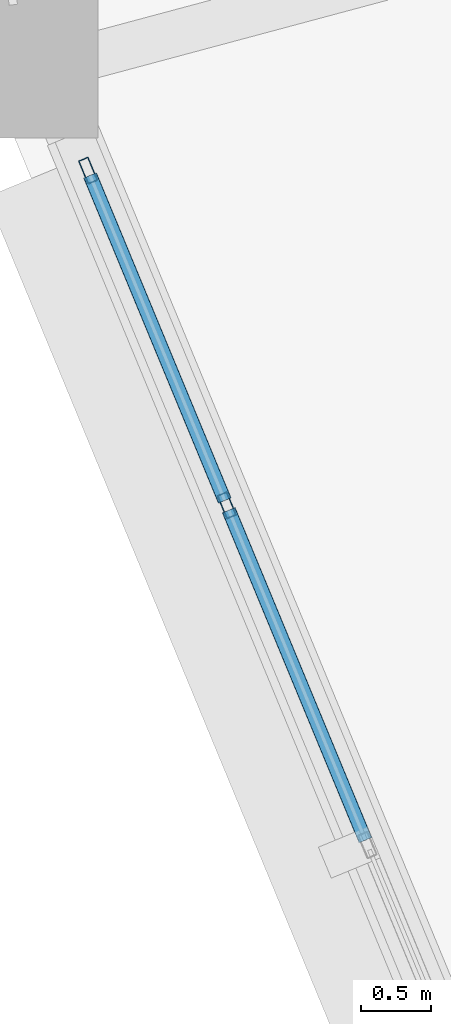
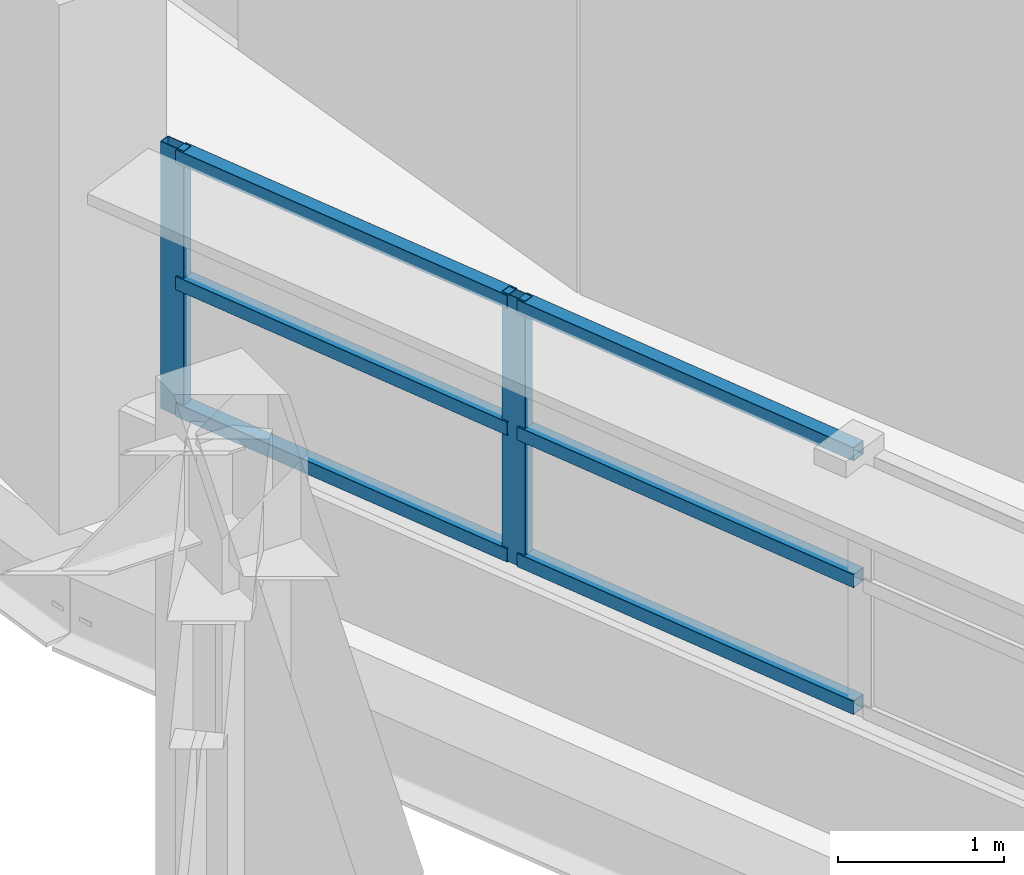
# One storey, part 27 of 108: 8 members, 1 element without a shape of its own.
"""IFC4 building model written with IfcOpenShell, lengths in metres."""

from ifc_helpers import new_model, si_unit, direction, frame, origin, origin_2d, place, context, subcontext, project, spatial, hollow_rectangle, extrude, material, layer, layer_set, material_profile, profile_set, type_object, element, aggregate, save


model = new_model("IFC4")

# Units and contexts
model_context = context("Model", 3, precision=1e-05, world=origin(), true_north=direction((0.0, 1.0)))
body_context = subcontext(model_context, "Body", "Model", "MODEL_VIEW")
ifc_project = project(units=[si_unit("LENGTHUNIT", "METRE"), si_unit("AREAUNIT", "SQUARE_METRE"), si_unit("VOLUMEUNIT", "CUBIC_METRE"), si_unit("PLANEANGLEUNIT", "RADIAN"), si_unit("MASSUNIT", "GRAM", prefix="KILO")], contexts=[model_context])

# Site, building, storey
site_placement = place(None, origin())
site = spatial("IfcSite", under=ifc_project, at=site_placement, CompositionType="ELEMENT")
building_placement = place(site_placement, origin())
building = spatial("IfcBuilding", under=site, at=building_placement, Name="Vespera Passage Community Centre", CompositionType="ELEMENT")
storey_placement = place(building_placement, frame((0.0, 0.0, 12.60009765625)))
storey = spatial("IfcBuildingStorey", under=building, at=storey_placement, Name="L03", CompositionType="ELEMENT", Elevation=12.60009765625)

# Curtain wall, members
ifc_material_1 = material(Name="Anodized aluminium 6063-T6", Category="aluminium")
ifc_layer = layer(ifc_material_1, 0.159912109375)
ifc_layer_set = layer_set([ifc_layer], Name="Anodized aluminium 6063-T6")
curtain_wall_type = type_object("IfcCurtainWallType", Name="CW-49E", PredefinedType="NOTDEFINED", material=ifc_layer_set)
curtain_wall_placement = place(storey_placement, origin())
curtain_wall = element("IfcCurtainWall", 1, at=curtain_wall_placement, inside=storey, type_object=curtain_wall_type, Name="V4 L03 Outer Ribbon Curtain Wall 13", PredefinedType="NOTDEFINED")
ifc_material_2 = material(Name="Anodized aluminium 6063-T6", Category="aluminium")
ifc_material_profile_1 = material_profile(ifc_material_2, hollow_rectangle(XDim=0.074951171875, YDim=0.179931640625, WallThickness=0.0048828125, InnerFilletRadius=0.00244140625, OuterFilletRadius=0.0048828125, at=origin_2d()), Name="ALU180X75X5")
ifc_profile_set_1 = profile_set([ifc_material_profile_1], Name="Anodized aluminium 6063-T6")
member_type_1 = type_object("IfcMemberType", Name="MB-CWM-180E", PredefinedType="MULLION", material=ifc_profile_set_1)
member_1_placement = place(storey_placement, frame((34.766845703125, 50.439453125, 0.81982421875), z_axis=(0.0, 0.0, 1.0), x_axis=(-0.923881309405, -0.382679142535, 0.0)))
member_1 = element("IfcMember", 2, at=member_1_placement, type_object=member_type_1, Name="CW-49E mullion 4", PredefinedType="MULLION", context=body_context, shape_type="SweptSolid", body=[
    extrude(hollow_rectangle(XDim=0.074951171875, YDim=0.179931640625, WallThickness=0.0048828125, InnerFilletRadius=0.00244140625, OuterFilletRadius=0.0048828125, at=origin_2d()), origin(), (0.0, 0.0, 1.0), 1.965576171875),
])
member_2_placement = place(storey_placement, frame((33.774658203125, 52.835205078125, 0.81982421875), z_axis=(0.0, 0.0, 1.0), x_axis=(-0.923881309405, -0.382679142535, 0.0)))
member_2 = element("IfcMember", 3, at=member_2_placement, type_object=member_type_1, Name="CW-49E mullion 5", PredefinedType="MULLION", context=body_context, shape_type="SweptSolid", body=[
    extrude(hollow_rectangle(XDim=0.074951171875, YDim=0.179931640625, WallThickness=0.0048828125, InnerFilletRadius=0.00244140625, OuterFilletRadius=0.0048828125, at=origin_2d()), origin(), (0.0, 0.0, 1.0), 1.965576171875),
])
ifc_material_3 = material(Name="Anodized aluminium 6063-T6", Category="aluminium")
ifc_material_profile_2 = material_profile(ifc_material_3, hollow_rectangle(XDim=0.10009765625, YDim=0.10009765625, WallThickness=0.00390625, InnerFilletRadius=0.001953125, OuterFilletRadius=0.00390625, at=origin_2d()), Name="ALU100X100X4")
ifc_profile_set_2 = profile_set([ifc_material_profile_2], Name="Anodized aluminium 6063-T6")
member_type_2 = type_object("IfcMemberType", Name="MB-CWT-100E", PredefinedType="USERDEFINED", material=ifc_profile_set_2)
member_3_placement = place(storey_placement, frame((35.759033203125, 48.0439453125, 0.869873046875), z_axis=(-0.382647130015, 0.923894568601, 0.0), x_axis=(-0.923894568601, -0.382647130015, 0.0)))
member_3 = element("IfcMember", 4, at=member_3_placement, type_object=member_type_2, Name="CW-49E transom 3.1", ObjectType="TRANSOM", PredefinedType="USERDEFINED", context=body_context, shape_type="SweptSolid", body=[
    extrude(hollow_rectangle(XDim=0.10009765625, YDim=0.10009765625, WallThickness=0.00390625, InnerFilletRadius=0.001953125, OuterFilletRadius=0.00390625, at=origin_2d()), origin(), (0.0, 0.0, 1.0), 2.555419921875),
])
member_4_placement = place(storey_placement, frame((35.759033203125, 48.0439453125, 1.802734375), z_axis=(-0.382647130015, 0.923894568601, 0.0), x_axis=(-0.923894568601, -0.382647130015, 0.0)))
member_4 = element("IfcMember", 5, at=member_4_placement, type_object=member_type_2, Name="CW-49E transom 3.2", ObjectType="TRANSOM", PredefinedType="USERDEFINED", context=body_context, shape_type="SweptSolid", body=[
    extrude(hollow_rectangle(XDim=0.10009765625, YDim=0.10009765625, WallThickness=0.00390625, InnerFilletRadius=0.001953125, OuterFilletRadius=0.00390625, at=origin_2d()), origin(), (0.0, 0.0, 1.0), 2.555419921875),
])
member_5_placement = place(storey_placement, frame((35.759033203125, 48.0439453125, 2.735595703125), z_axis=(-0.382647130015, 0.923894568601, 0.0), x_axis=(-0.923894568601, -0.382647130015, 0.0)))
member_5 = element("IfcMember", 6, at=member_5_placement, type_object=member_type_2, Name="CW-49E transom 3.3", ObjectType="TRANSOM", PredefinedType="USERDEFINED", context=body_context, shape_type="SweptSolid", body=[
    extrude(hollow_rectangle(XDim=0.10009765625, YDim=0.10009765625, WallThickness=0.00390625, InnerFilletRadius=0.001953125, OuterFilletRadius=0.00390625, at=origin_2d()), origin(), (0.0, 0.0, 1.0), 2.555419921875),
])
member_6_placement = place(storey_placement, frame((34.75244140625, 50.47412109375, 0.869873046875), z_axis=(-0.3826800364, 0.923880939159, 0.0), x_axis=(-0.923880939159, -0.3826800364, 0.0)))
member_6 = element("IfcMember", 7, at=member_6_placement, type_object=member_type_2, Name="CW-49E transom 4.1", ObjectType="TRANSOM", PredefinedType="USERDEFINED", context=body_context, shape_type="SweptSolid", body=[
    extrude(hollow_rectangle(XDim=0.10009765625, YDim=0.10009765625, WallThickness=0.00390625, InnerFilletRadius=0.001953125, OuterFilletRadius=0.00390625, at=origin_2d()), origin(), (0.0, 0.0, 1.0), 2.51806640625),
])
member_7_placement = place(storey_placement, frame((34.75244140625, 50.47412109375, 1.802734375), z_axis=(-0.3826800364, 0.923880939159, 0.0), x_axis=(-0.923880939159, -0.3826800364, 0.0)))
member_7 = element("IfcMember", 8, at=member_7_placement, type_object=member_type_2, Name="CW-49E transom 4.2", ObjectType="TRANSOM", PredefinedType="USERDEFINED", context=body_context, shape_type="SweptSolid", body=[
    extrude(hollow_rectangle(XDim=0.10009765625, YDim=0.10009765625, WallThickness=0.00390625, InnerFilletRadius=0.001953125, OuterFilletRadius=0.00390625, at=origin_2d()), origin(), (0.0, 0.0, 1.0), 2.51806640625),
])
member_8_placement = place(storey_placement, frame((34.75244140625, 50.47412109375, 2.735595703125), z_axis=(-0.3826800364, 0.923880939159, 0.0), x_axis=(-0.923880939159, -0.3826800364, 0.0)))
member_8 = element("IfcMember", 9, at=member_8_placement, type_object=member_type_2, Name="CW-49E transom 4.3", ObjectType="TRANSOM", PredefinedType="USERDEFINED", context=body_context, shape_type="SweptSolid", body=[
    extrude(hollow_rectangle(XDim=0.10009765625, YDim=0.10009765625, WallThickness=0.00390625, InnerFilletRadius=0.001953125, OuterFilletRadius=0.00390625, at=origin_2d()), origin(), (0.0, 0.0, 1.0), 2.51806640625),
])
aggregate(curtain_wall, [member_1, member_2, member_3, member_4, member_5, member_6, member_7, member_8])

save(model, "model.ifc")
